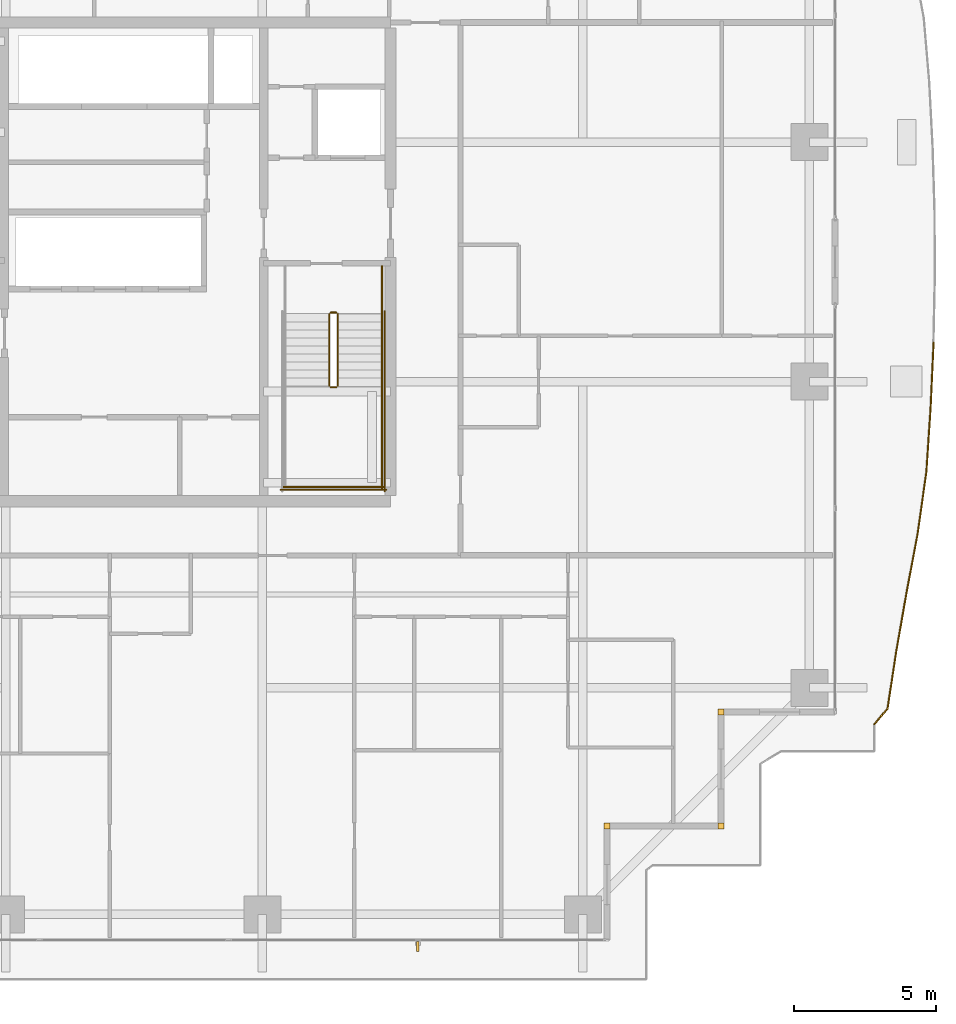
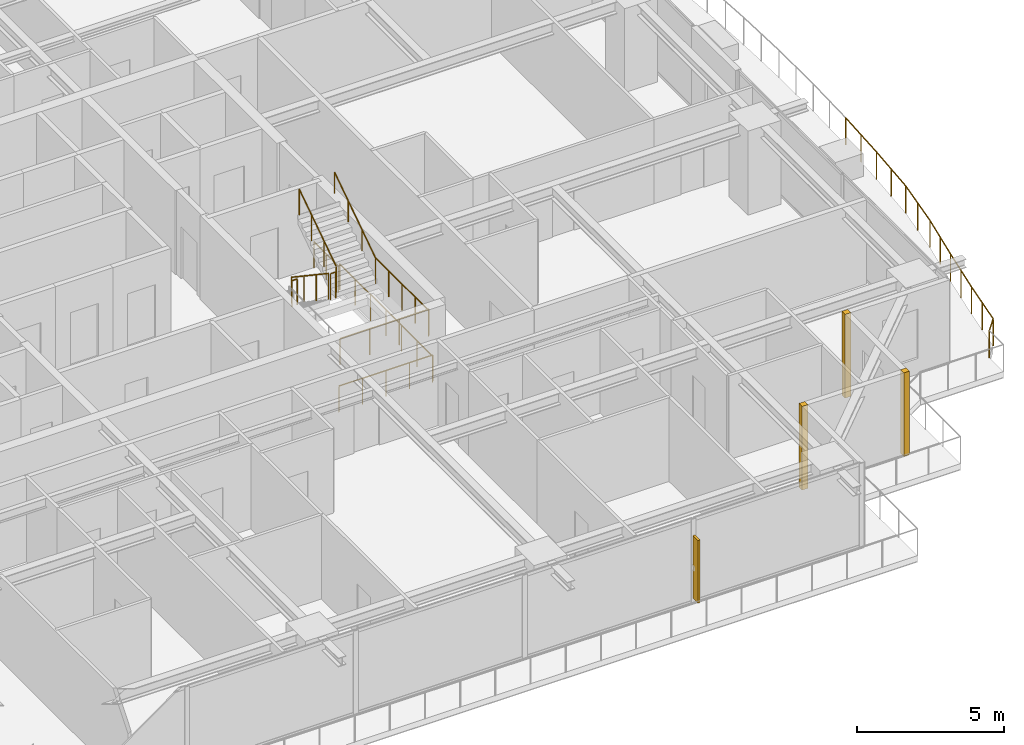
# One storey, part 33 of 34: 11 railings, 3 coverings, 1 shading device.
"""IFC4 building model written with IfcOpenShell, lengths in metres."""

from ifc_helpers import new_model, si_unit, direction, frame, origin, origin_2d, place, context, subcontext, project, spatial, rectangle, circle, extrude, source, transform, mapped, material, layer, layer_set, type_object, element, save


model = new_model("IFC4")

# Units and contexts
model_context = context("Model", 3, precision=1e-05, world=origin(), true_north=direction((0.0, 1.0)))
body_context = subcontext(model_context, "Body", "Model", "MODEL_VIEW")
ifc_project = project(units=[si_unit("LENGTHUNIT", "METRE"), si_unit("AREAUNIT", "SQUARE_METRE"), si_unit("VOLUMEUNIT", "CUBIC_METRE"), si_unit("PLANEANGLEUNIT", "RADIAN"), si_unit("MASSUNIT", "GRAM", prefix="KILO")], contexts=[model_context])

# Site, building, storey
site_placement = place(None, origin())
site = spatial("IfcSite", under=ifc_project, at=site_placement, CompositionType="ELEMENT")
building_placement = place(site_placement, origin())
building = spatial("IfcBuilding", under=site, at=building_placement, Name="Serunith Strait Residences", CompositionType="ELEMENT")
storey_placement = place(building_placement, frame((0.0, 0.0, 135.14990234375)))
storey = spatial("IfcBuildingStorey", under=building, at=storey_placement, Name="L33", CompositionType="ELEMENT", Elevation=135.14990234375)

# Railings
ifc_material_1 = material(Name="Stainless Steel & Laminated Glass Balustrade", Category="steel")
railing_type_1 = type_object("IfcRailingType", Name="RLG-BALC-1150", PredefinedType="BALUSTRADE", material=ifc_material_1)
railing_1_placement = place(storey_placement, frame((60.460205078125, 22.367431640625, -0.0498046875)))
element("IfcRailing", 1, at=railing_1_placement, inside=storey, type_object=railing_type_1, Name="L33 Swirling Balcony Perimeter Balustrade 6", PredefinedType="BALUSTRADE", context=body_context, shape_type="SweptSolid", body=[
    extrude(circle(Radius=0.02392578125, at=origin_2d()), frame((0.0, -0.001953125, 1.1259765625), z_axis=(-0.045325227215, -0.998972283789, 0.0), x_axis=(0.998972283789, -0.045325227215, 0.0)), (0.0, 0.0, 1.0), 2.27978515625),
    extrude(circle(Radius=0.02392578125, at=origin_2d()), frame((-0.103759765625, -2.283447265625, 1.1259765625), z_axis=(-0.065650391333, -0.997842686057, 0.0), x_axis=(0.997842686057, -0.065650391333, 0.0)), (0.0, 0.0, 1.0), 2.25341796875),
    extrude(circle(Radius=0.02392578125, at=origin_2d()), frame((-0.251953125, -4.535888671875, 1.1259765625), z_axis=(-0.140050747951, -0.990144326853, 0.0), x_axis=(0.990144326853, -0.140050747951, 0.0)), (0.0, 0.0, 1.0), 2.190673828125),
    extrude(circle(Radius=0.02392578125, at=origin_2d()), frame((-0.5595703125, -6.708984375, 1.1259765625), z_axis=(-0.184691239264, -0.982796594489, 0.0), x_axis=(0.982796594489, -0.184691239264, 0.0)), (0.0, 0.0, 1.0), 2.118896484375),
    extrude(circle(Radius=0.02392578125, at=origin_2d()), frame((-0.951416015625, -8.79541015625, 1.1259765625), z_axis=(-0.172594807887, -0.984992909767, 0.0), x_axis=(0.984992909767, -0.172594807887, 0.0)), (0.0, 0.0, 1.0), 2.06689453125),
    extrude(circle(Radius=0.02392578125, at=origin_2d()), frame((-1.308837890625, -10.835205078125, 1.1259765625), z_axis=(-0.150857625786, -0.988555500082, 0.0), x_axis=(0.988555500082, -0.150857625786, 0.0)), (0.0, 0.0, 1.0), 2.0302734375),
    extrude(circle(Radius=0.02392578125, at=origin_2d()), frame((-1.61669921875, -12.845703125, 1.1259765625), z_axis=(-0.647984239523, -0.761653743725, 0.0), x_axis=(0.761653743725, -0.647984239523, 0.0)), (0.0, 0.0, 1.0), 0.71337890625),
    extrude(circle(Radius=0.02099609375, at=origin_2d()), origin(), (0.0, 0.0, 1.0), 1.099853515625),
    extrude(circle(Radius=0.02099609375, at=origin_2d()), frame((-0.0517578125, -1.140625, 0.0)), (0.0, 0.0, 1.0), 1.099853515625),
    extrude(circle(Radius=0.02099609375, at=origin_2d()), frame((-0.103515625, -2.281494140625, 0.0)), (0.0, 0.0, 1.0), 1.099853515625),
    extrude(circle(Radius=0.02099609375, at=origin_2d()), frame((-0.177734375, -3.40771484375, 0.0)), (0.0, 0.0, 1.0), 1.099853515625),
    extrude(circle(Radius=0.02099609375, at=origin_2d()), frame((-0.251708984375, -4.533935546875, 0.0)), (0.0, 0.0, 1.0), 1.099853515625),
    extrude(circle(Radius=0.02099609375, at=origin_2d()), frame((-0.4052734375, -5.62060546875, 0.0)), (0.0, 0.0, 1.0), 1.099853515625),
    extrude(circle(Radius=0.02099609375, at=origin_2d()), frame((-0.55908203125, -6.70703125, 0.0)), (0.0, 0.0, 1.0), 1.099853515625),
    extrude(circle(Radius=0.02099609375, at=origin_2d()), frame((-0.755126953125, -7.750244140625, 0.0)), (0.0, 0.0, 1.0), 1.099853515625),
    extrude(circle(Radius=0.02099609375, at=origin_2d()), frame((-0.951171875, -8.79345703125, 0.0)), (0.0, 0.0, 1.0), 1.099853515625),
    extrude(circle(Radius=0.02099609375, at=origin_2d()), frame((-1.1298828125, -9.8134765625, 0.0)), (0.0, 0.0, 1.0), 1.099853515625),
    extrude(circle(Radius=0.02099609375, at=origin_2d()), frame((-1.30859375, -10.833251953125, 0.0)), (0.0, 0.0, 1.0), 1.099853515625),
    extrude(circle(Radius=0.02099609375, at=origin_2d()), frame((-1.4619140625, -11.8388671875, 0.0)), (0.0, 0.0, 1.0), 1.099853515625),
    extrude(circle(Radius=0.02099609375, at=origin_2d()), frame((-1.615478515625, -12.84423828125, 0.0)), (0.0, 0.0, 1.0), 1.099853515625),
    extrude(circle(Radius=0.02099609375, at=origin_2d()), frame((-2.080322265625, -13.390625, 0.0)), (0.0, 0.0, 1.0), 1.099853515625),
])
ifc_material_2 = material(Name="Brushed stainless steel 316L", Category="steel")
railing_type_2 = type_object("IfcRailingType", Name="RLG-STAIR-GUARD", PredefinedType="BALUSTRADE", material=ifc_material_2)
railing_2_placement = place(storey_placement, frame((39.25, 23.3701171875, 0.1875)))
element("IfcRailing", 2, at=railing_2_placement, inside=storey, type_object=railing_type_2, Name="L33 ST-2 stair guard 1", PredefinedType="BALUSTRADE", context=body_context, shape_type="SweptSolid", body=[
    extrude(circle(Radius=0.02392578125, at=origin_2d()), frame((0.0, -0.001708984375, 1.0771484375), z_axis=(0.0, -0.830909170722, 0.55640807867), x_axis=(1.0, 0.0, 0.0)), (0.0, 0.0, 1.0), 3.02880859375),
    extrude(circle(Radius=0.02099609375, at=origin_2d()), origin(), (0.0, 0.0, 1.0), 1.050048828125),
    extrude(circle(Radius=0.02099609375, at=origin_2d()), frame((0.0, -0.840087890625, 0.5625)), (0.0, 0.0, 1.0), 1.050048828125),
    extrude(circle(Radius=0.02099609375, at=origin_2d()), frame((0.0, -1.679931640625, 1.125)), (0.0, 0.0, 1.0), 1.050048828125),
    extrude(circle(Radius=0.02099609375, at=origin_2d()), frame((0.0, -2.52001953125, 1.6875)), (0.0, 0.0, 1.0), 1.050048828125),
])
railing_3_placement = place(storey_placement, frame((39.300048828125, 20.800048828125, 1.875)))
element("IfcRailing", 3, at=railing_3_placement, inside=storey, type_object=railing_type_2, Name="L33 ST-2 stair guard 2", PredefinedType="BALUSTRADE", context=body_context, shape_type="SweptSolid", body=[
    extrude(circle(Radius=0.02392578125, at=origin_2d()), frame((0.001953125, 0.0, 1.076171875), z_axis=(1.0, 0.0, 0.0), x_axis=(0.0, 1.0, 0.0)), (0.0, 0.0, 1.0), 0.196044921875),
    extrude(circle(Radius=0.02099609375, at=origin_2d()), origin(), (0.0, 0.0, 1.0), 1.050048828125),
    extrude(circle(Radius=0.02099609375, at=origin_2d()), frame((0.199951171875, 0.0, 0.0)), (0.0, 0.0, 1.0), 1.050048828125),
])
railing_4_placement = place(storey_placement, frame((41.10009765625, 20.85009765625, 1.875)))
element("IfcRailing", 4, at=railing_4_placement, inside=storey, type_object=railing_type_2, Name="L33 ST-2 stair guard 4", PredefinedType="BALUSTRADE", context=body_context, shape_type="SweptSolid", body=[
    extrude(circle(Radius=0.02392578125, at=origin_2d()), frame((0.0, -0.001953125, 1.076171875), z_axis=(0.0, -1.0, 0.0), x_axis=(1.0, 0.0, 0.0)), (0.0, 0.0, 1.0), 3.59619140625),
    extrude(circle(Radius=0.02099609375, at=origin_2d()), origin(), (0.0, 0.0, 1.0), 1.050048828125),
    extrude(circle(Radius=0.02099609375, at=origin_2d()), frame((0.0, -0.89990234375, 0.0)), (0.0, 0.0, 1.0), 1.050048828125),
    extrude(circle(Radius=0.02099609375, at=origin_2d()), frame((0.0, -1.800048828125, 0.0)), (0.0, 0.0, 1.0), 1.050048828125),
    extrude(circle(Radius=0.02099609375, at=origin_2d()), frame((0.0, -2.7001953125, 0.0)), (0.0, 0.0, 1.0), 1.050048828125),
    extrude(circle(Radius=0.02099609375, at=origin_2d()), frame((0.0, -3.60009765625, 0.0)), (0.0, 0.0, 1.0), 1.050048828125),
])
railing_5_placement = place(storey_placement, frame((37.64990234375, 17.300048828125, 1.875)))
element("IfcRailing", 5, at=railing_5_placement, inside=storey, type_object=railing_type_2, Name="L33 ST-2 stair guard 5", PredefinedType="BALUSTRADE", context=body_context, shape_type="SweptSolid", body=[
    extrude(circle(Radius=0.02392578125, at=origin_2d()), frame((0.001953125, 0.0, 1.076171875), z_axis=(1.0, 0.0, 0.0), x_axis=(0.0, 1.0, 0.0)), (0.0, 0.0, 1.0), 3.49609375),
    extrude(circle(Radius=0.02099609375, at=origin_2d()), origin(), (0.0, 0.0, 1.0), 1.050048828125),
    extrude(circle(Radius=0.02099609375, at=origin_2d()), frame((1.166748046875, 0.0, 0.0)), (0.0, 0.0, 1.0), 1.050048828125),
    extrude(circle(Radius=0.02099609375, at=origin_2d()), frame((2.333251953125, 0.0, 0.0)), (0.0, 0.0, 1.0), 1.050048828125),
    extrude(circle(Radius=0.02099609375, at=origin_2d()), frame((3.5, 0.0, 0.0)), (0.0, 0.0, 1.0), 1.050048828125),
])
railing_6_placement = place(storey_placement, frame((39.550048828125, 20.85009765625, 2.0625)))
element("IfcRailing", 6, at=railing_6_placement, inside=storey, type_object=railing_type_2, Name="L33 ST-2 stair guard 6", PredefinedType="BALUSTRADE", context=body_context, shape_type="SweptSolid", body=[
    extrude(circle(Radius=0.02392578125, at=origin_2d()), frame((0.0, 0.001708984375, 1.0771484375), z_axis=(0.0, 0.830909170722, 0.55640807867), x_axis=(-1.0, 0.0, 0.0)), (0.0, 0.0, 1.0), 3.02880859375),
    extrude(circle(Radius=0.02099609375, at=origin_2d()), origin(), (0.0, 0.0, 1.0), 1.050048828125),
    extrude(circle(Radius=0.02099609375, at=origin_2d()), frame((0.0, 0.840087890625, 0.5625)), (0.0, 0.0, 1.0), 1.050048828125),
    extrude(circle(Radius=0.02099609375, at=origin_2d()), frame((0.0, 1.679931640625, 1.125)), (0.0, 0.0, 1.0), 1.050048828125),
    extrude(circle(Radius=0.02099609375, at=origin_2d()), frame((0.0, 2.52001953125, 1.6875)), (0.0, 0.0, 1.0), 1.050048828125),
])
railing_7_placement = place(storey_placement, frame((39.300048828125, 23.419921875, 0.0)))
element("IfcRailing", 7, at=railing_7_placement, inside=storey, type_object=railing_type_2, Name="L33 ST-2 stair guard 7", PredefinedType="BALUSTRADE", context=body_context, shape_type="SweptSolid", body=[
    extrude(circle(Radius=0.02392578125, at=origin_2d()), frame((0.001953125, 0.0, 1.076171875), z_axis=(1.0, 0.0, 0.0), x_axis=(0.0, 1.0, 0.0)), (0.0, 0.0, 1.0), 0.196044921875),
    extrude(circle(Radius=0.02099609375, at=origin_2d()), origin(), (0.0, 0.0, 1.0), 1.050048828125),
    extrude(circle(Radius=0.02099609375, at=origin_2d()), frame((0.199951171875, 0.0, 0.0)), (0.0, 0.0, 1.0), 1.050048828125),
])
railing_8_placement = place(storey_placement, frame((41.10009765625, 25.050048828125, 0.0)))
element("IfcRailing", 8, at=railing_8_placement, inside=storey, type_object=railing_type_2, Name="L33 ST-2 stair guard 9", PredefinedType="BALUSTRADE", context=body_context, shape_type="SweptSolid", body=[
    extrude(circle(Radius=0.02392578125, at=origin_2d()), frame((0.0, -0.001953125, 1.076171875), z_axis=(0.0, -1.0, 0.0), x_axis=(1.0, 0.0, 0.0)), (0.0, 0.0, 1.0), 1.676025390625),
    extrude(circle(Radius=0.02099609375, at=origin_2d()), origin(), (0.0, 0.0, 1.0), 1.050048828125),
    extrude(circle(Radius=0.02099609375, at=origin_2d()), frame((0.0, -0.83984375, 0.0)), (0.0, 0.0, 1.0), 1.050048828125),
    extrude(circle(Radius=0.02099609375, at=origin_2d()), frame((0.0, -1.679931640625, 0.0)), (0.0, 0.0, 1.0), 1.050048828125),
])
railing_9_placement = place(storey_placement, frame((41.199951171875, 23.469970703125, 0.0)))
element("IfcRailing", 9, at=railing_9_placement, inside=storey, type_object=railing_type_2, Name="L33 ST-2 stair guard 11", PredefinedType="BALUSTRADE", context=body_context, shape_type="SweptSolid", body=[
    extrude(circle(Radius=0.02392578125, at=origin_2d()), frame((0.0, -0.001953125, 1.076171875), z_axis=(0.0, -1.0, 0.0), x_axis=(1.0, 0.0, 0.0)), (0.0, 0.0, 1.0), 6.316162109375),
    extrude(circle(Radius=0.02099609375, at=origin_2d()), origin(), (0.0, 0.0, 1.0), 1.050048828125),
    extrude(circle(Radius=0.02099609375, at=origin_2d()), frame((0.0, -1.05322265625, 0.0)), (0.0, 0.0, 1.0), 1.050048828125),
    extrude(circle(Radius=0.02099609375, at=origin_2d()), frame((0.0, -2.106689453125, 0.0)), (0.0, 0.0, 1.0), 1.050048828125),
    extrude(circle(Radius=0.02099609375, at=origin_2d()), frame((0.0, -3.16015625, 0.0)), (0.0, 0.0, 1.0), 1.050048828125),
    extrude(circle(Radius=0.02099609375, at=origin_2d()), frame((0.0, -4.21337890625, 0.0)), (0.0, 0.0, 1.0), 1.050048828125),
    extrude(circle(Radius=0.02099609375, at=origin_2d()), frame((0.0, -5.2666015625, 0.0)), (0.0, 0.0, 1.0), 1.050048828125),
    extrude(circle(Radius=0.02099609375, at=origin_2d()), frame((0.0, -6.320068359375, 0.0)), (0.0, 0.0, 1.0), 1.050048828125),
])
railing_10_placement = place(storey_placement, frame((37.550048828125, 17.199951171875, 0.0)))
element("IfcRailing", 10, at=railing_10_placement, inside=storey, type_object=railing_type_2, Name="L33 ST-2 stair guard 12", PredefinedType="BALUSTRADE", context=body_context, shape_type="SweptSolid", body=[
    extrude(circle(Radius=0.02392578125, at=origin_2d()), frame((0.001953125, 0.0, 1.076171875), z_axis=(1.0, 0.0, 0.0), x_axis=(0.0, 1.0, 0.0)), (0.0, 0.0, 1.0), 3.696044921875),
    extrude(circle(Radius=0.02099609375, at=origin_2d()), origin(), (0.0, 0.0, 1.0), 1.050048828125),
    extrude(circle(Radius=0.02099609375, at=origin_2d()), frame((0.925048828125, 0.0, 0.0)), (0.0, 0.0, 1.0), 1.050048828125),
    extrude(circle(Radius=0.02099609375, at=origin_2d()), frame((1.85009765625, 0.0, 0.0)), (0.0, 0.0, 1.0), 1.050048828125),
    extrude(circle(Radius=0.02099609375, at=origin_2d()), frame((2.77490234375, 0.0, 0.0)), (0.0, 0.0, 1.0), 1.050048828125),
    extrude(circle(Radius=0.02099609375, at=origin_2d()), frame((3.699951171875, 0.0, 0.0)), (0.0, 0.0, 1.0), 1.050048828125),
])
railing_type_3 = type_object("IfcRailingType", Name="RLG-STAIR-HR", PredefinedType="HANDRAIL", material=ifc_material_2)
railing_11_placement = place(storey_placement, frame((41.10009765625, 20.85009765625, 2.0625)))
element("IfcRailing", 11, at=railing_11_placement, inside=storey, type_object=railing_type_3, Name="L33 ST-2 stair handrail 2", PredefinedType="HANDRAIL", context=body_context, shape_type="SweptSolid", body=[
    extrude(circle(Radius=0.02392578125, at=origin_2d()), frame((0.0, 0.001708984375, 0.876953125), z_axis=(0.0, 0.830185712471, 0.557486935101), x_axis=(-1.0, 0.0, 0.0)), (0.0, 0.0, 1.0), 3.368408203125),
    extrude(circle(Radius=0.02099609375, at=origin_2d()), origin(), (0.0, 0.0, 1.0), 0.849853515625),
    extrude(circle(Radius=0.02099609375, at=origin_2d()), frame((0.0, 0.933349609375, 0.626708984375)), (0.0, 0.0, 1.0), 0.849853515625),
    extrude(circle(Radius=0.02099609375, at=origin_2d()), frame((0.0, 1.866455078125, 1.25341796875)), (0.0, 0.0, 1.0), 0.849853515625),
    extrude(circle(Radius=0.02099609375, at=origin_2d()), frame((0.0, 2.7998046875, 1.880126953125)), (0.0, 0.0, 1.0), 0.849853515625),
])

# Coverings
ifc_material_3 = material(Name="Pale-Champagne Anodised Aluminium", Category="aluminium")
ifc_layer = layer(ifc_material_3, 0.219970703125, Name="Pale-Champagne Anodised Aluminium")
ifc_layer_set = layer_set([ifc_layer], Name="Pale-Champagne Anodised Aluminium")
covering_type = type_object("IfcCoveringType", Name="COV-CORN-TRIM", PredefinedType="CLADDING", material=ifc_layer_set)
shared_shape_1 = source(origin(), body_context, "Body", "SweptSolid", [
    extrude(rectangle(XDim=0.221923828125, YDim=0.221923828125, at=origin_2d()), origin(), (0.0, 0.0, 1.0), 3.47509765625),
])
for number, where, z_axis, x_axis, name in (
    (12, (49.0, 5.39990234375, 0.0), (0.0, 0.0, 1.0), (1.0, 0.0, 0.0), "L33 Girih Serrated Corner Trim Post 02"),
    (13, (53.0, 5.39990234375, 0.0), (0.0, 0.0, 1.0), (1.0, 0.0, 0.0), "L33 Girih Serrated Corner Trim Post 03"),
    (14, (53.0, 9.39990234375, 0.0), (0.0, 0.0, 1.0), (1.0, 0.0, 0.0), "L33 Girih Serrated Corner Trim Post 04"),
):
    element("IfcCovering", number, at=place(storey_placement, frame(where, z_axis=z_axis, x_axis=x_axis)), inside=storey, type_object=covering_type, Name=name, PredefinedType="CLADDING", context=body_context, shape_type="MappedRepresentation", body=[
        mapped(shared_shape_1, transform((0.0, 0.0, 0.0), scale=1.0)),
    ])

# Shading device
ifc_material_4 = material(Name="Pale-Champagne Perforated Aluminium Fin", Category="aluminium")
shading_device_type = type_object("IfcShadingDeviceType", Name="SHD-DIAG-FIN", PredefinedType="AWNING", material=ifc_material_4)
shared_shape_2 = source(origin(), body_context, "Body", "SweptSolid", [
    extrude(rectangle(XDim=0.080078125, YDim=0.35009765625, at=origin_2d()), origin(), (0.0, 0.0, 1.0), 2.60009765625),
])
shading_device_placement = place(storey_placement, frame((42.360107421875, 1.179931640625, 0.199951171875), z_axis=(0.0, 0.0, 1.0), x_axis=(1.0, 0.0, 0.0)))
element("IfcShadingDevice", 15, at=shading_device_placement, inside=storey, type_object=shading_device_type, Name="L33 Diagonal Rhythm Solar Fin S", PredefinedType="AWNING", context=body_context, shape_type="MappedRepresentation", body=[
    mapped(shared_shape_2, transform((0.0, 0.0, 0.0), scale=1.0)),
])

save(model, "model.ifc")
